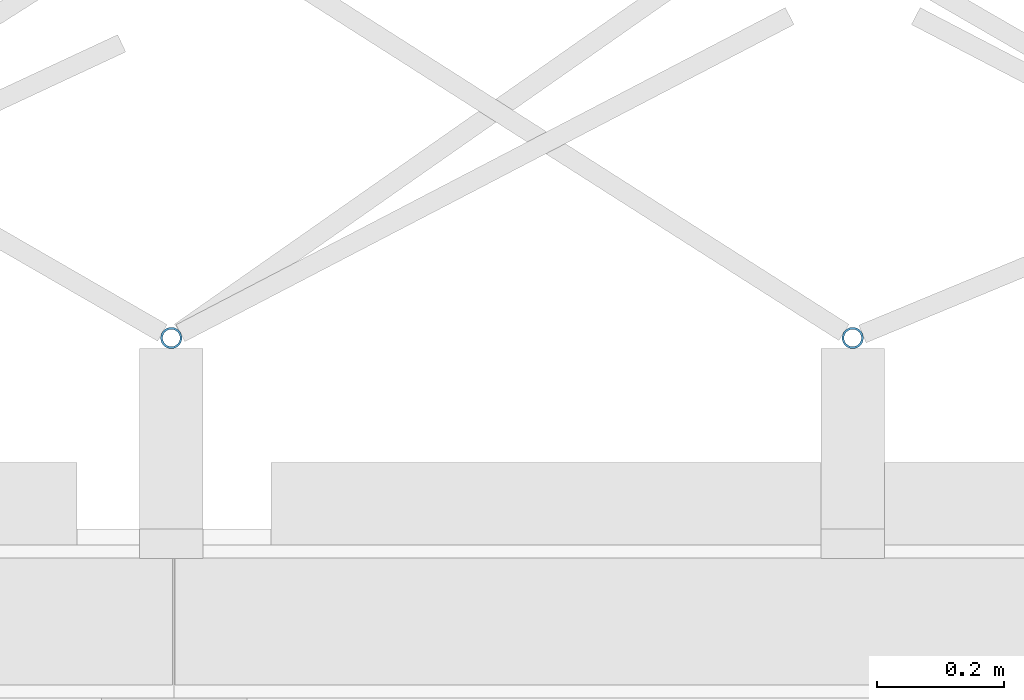
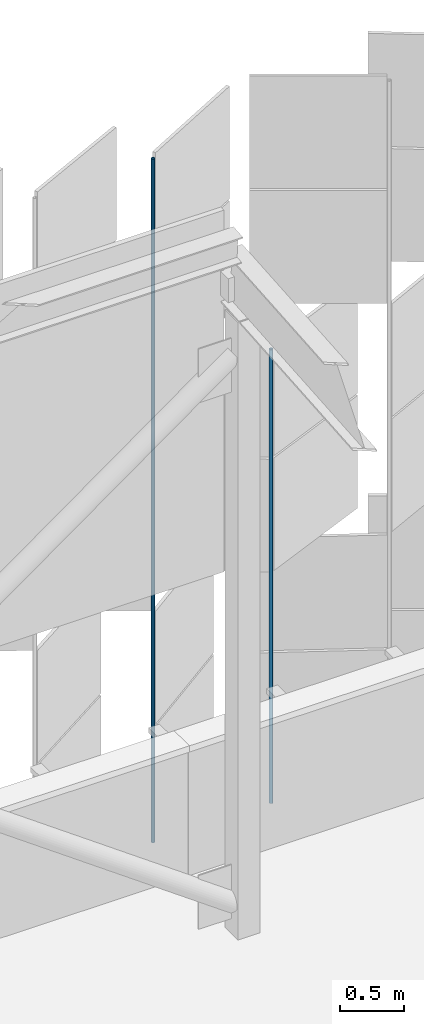
# One storey, part 353 of 483: 2 discrete accessories.
"""IFC4 building model written with IfcOpenShell, lengths in metres."""

from ifc_helpers import new_model, si_unit, direction, frame, origin, origin_2d, place, context, subcontext, project, spatial, hollow_circle, extrude, material, material_profile, profile_set, type_object, element, save


model = new_model("IFC4")

# Units and contexts
model_context = context("Model", 3, precision=1e-05, world=origin(), true_north=direction((0.0, 1.0)))
body_context = subcontext(model_context, "Body", "Model", "MODEL_VIEW")
ifc_project = project(units=[si_unit("LENGTHUNIT", "METRE"), si_unit("AREAUNIT", "SQUARE_METRE"), si_unit("VOLUMEUNIT", "CUBIC_METRE"), si_unit("PLANEANGLEUNIT", "RADIAN"), si_unit("MASSUNIT", "GRAM", prefix="KILO")], contexts=[model_context])

# Site, building, storey
site_placement = place(None, origin())
site = spatial("IfcSite", under=ifc_project, at=site_placement, CompositionType="ELEMENT")
building_placement = place(site_placement, origin())
building = spatial("IfcBuilding", under=site, at=building_placement, Name="Parallax Yard Mobility Hub", CompositionType="ELEMENT")
storey_placement = place(building_placement, frame((0.0, 0.0, 13.199951171875)))
storey = spatial("IfcBuildingStorey", under=building, at=storey_placement, Name="L04", CompositionType="ELEMENT", Elevation=13.199951171875)

# Discrete accessories
ifc_material = material(Name="Steel ASTM A500 Gr C, hot-dip galvanised", Category="steel")
ifc_material_profile = material_profile(ifc_material, hollow_circle(Radius=0.016845703125, WallThickness=0.003173828125, at=origin_2d()), Name="CHS 33.7x3.2")
ifc_profile_set = profile_set([ifc_material_profile], Name="Steel ASTM A500 Gr C, hot-dip galvanised")
discrete_accessory_type = type_object("IfcDiscreteAccessoryType", Name="Hinge post CHS 33.7x3.2", PredefinedType="BRACKET", material=ifc_profile_set)
discrete_accessory_1_placement = place(storey_placement, frame((121.067138671875, 142.800048828125, 0.0), z_axis=(0.0, 0.0, 1.0), x_axis=(1.0, 0.0, 0.0)))
element("IfcDiscreteAccessory", 1, at=discrete_accessory_1_placement, inside=storey, type_object=discrete_accessory_type, Name="Hinge post bay 57.7 level L04", PredefinedType="BRACKET", context=body_context, shape_type="SweptSolid", body=[
    extrude(hollow_circle(Radius=0.016845703125, WallThickness=0.003173828125, at=origin_2d()), origin(), (0.0, 0.0, 1.0), 4.35009765625),
])
discrete_accessory_2_placement = place(storey_placement, frame((119.99560546875, 142.800048828125, 0.0), z_axis=(0.0, 0.0, 1.0), x_axis=(1.0, 0.0, 0.0)))
element("IfcDiscreteAccessory", 2, at=discrete_accessory_2_placement, inside=storey, type_object=discrete_accessory_type, Name="Hinge post bay 58.1 level L04", PredefinedType="BRACKET", context=body_context, shape_type="SweptSolid", body=[
    extrude(hollow_circle(Radius=0.016845703125, WallThickness=0.003173828125, at=origin_2d()), origin(), (0.0, 0.0, 1.0), 6.550048828125),
])

save(model, "model.ifc")
